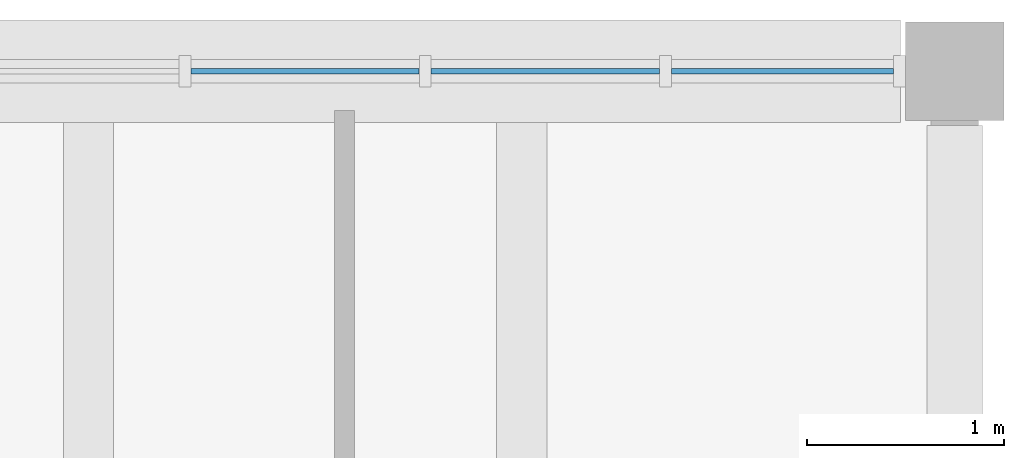
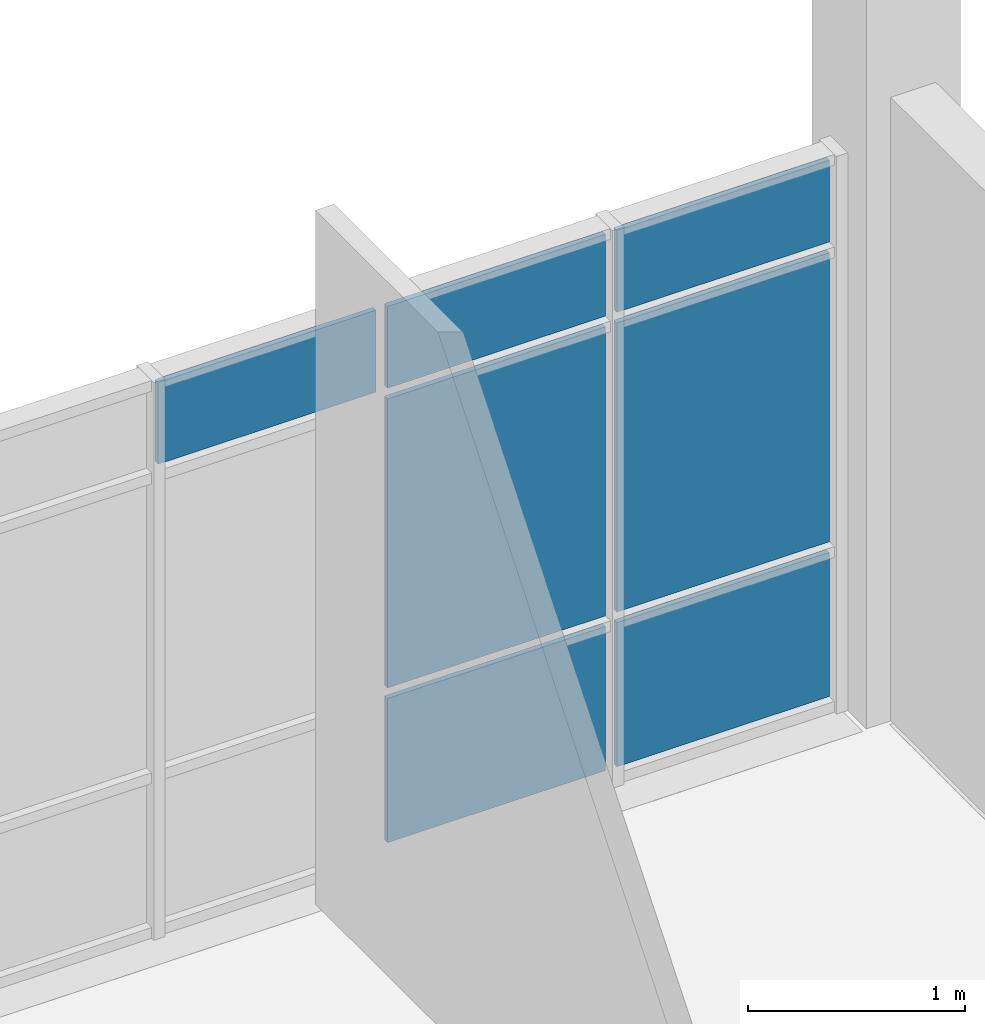
# One storey, part 6 of 10: 7 plates, 1 element without a shape of its own.
"""IFC4 building model written with IfcOpenShell, lengths in metres."""

from ifc_helpers import new_model, si_unit, direction, frame, origin, origin_2d, place, context, subcontext, project, spatial, rectangle, extrude, material, layer, layer_set, type_object, element, aggregate, save


model = new_model("IFC4")

# Units and contexts
model_context = context("Model", 3, precision=1e-05, world=origin(), true_north=direction((0.0, 1.0)))
body_context = subcontext(model_context, "Body", "Model", "MODEL_VIEW")
ifc_project = project(units=[si_unit("LENGTHUNIT", "METRE"), si_unit("AREAUNIT", "SQUARE_METRE"), si_unit("VOLUMEUNIT", "CUBIC_METRE"), si_unit("PLANEANGLEUNIT", "RADIAN"), si_unit("MASSUNIT", "GRAM", prefix="KILO")], contexts=[model_context])

# Site, building, storey
site_placement = place(None, origin())
site = spatial("IfcSite", under=ifc_project, at=site_placement, CompositionType="ELEMENT")
building_placement = place(site_placement, origin())
building = spatial("IfcBuilding", under=site, at=building_placement, Name="Ciguamira Faculty of Natural Sciences", CompositionType="ELEMENT")
storey_placement = place(building_placement, frame((0.0, 0.0, 42.0)))
storey = spatial("IfcBuildingStorey", under=building, at=storey_placement, Name="L10", CompositionType="ELEMENT", Elevation=42.0)

# Curtain wall, plates
ifc_material_1 = material(Name="Anodized aluminium curtain wall", Category="aluminium")
curtain_wall_type = type_object("IfcCurtainWallType", Name="CurtainWall_CW-01", PredefinedType="USERDEFINED", material=ifc_material_1)
curtain_wall_placement = place(storey_placement, origin())
curtain_wall = element("IfcCurtainWall", 1, at=curtain_wall_placement, inside=storey, type_object=curtain_wall_type, Name="L10 unitised curtain wall 0169", ObjectType="UNITISED CURTAIN WALL", PredefinedType="USERDEFINED")
ifc_material_2 = material(Name="Low-E laminated solar glass", Category="glass")
ifc_layer = layer(ifc_material_2, 0.028076171875, Name="Low-E laminated solar glass")
ifc_layer_set = layer_set([ifc_layer], Name="Low-E laminated solar glass")
plate_type = type_object("IfcPlateType", Name="CWPanel_CWP-01", PredefinedType="CURTAIN_PANEL", material=ifc_layer_set)
plate_1_placement = place(storey_placement, frame((100.199951171875, 115.0, 2.614990234375), z_axis=(0.0, 0.0, 1.0), x_axis=(1.0, 0.0, 0.0)))
plate_1 = element("IfcPlate", 2, at=plate_1_placement, type_object=plate_type, Name="CW-01 panel 3.3", PredefinedType="CURTAIN_PANEL", context=body_context, shape_type="SweptSolid", body=[
    extrude(rectangle(XDim=1.159912109375, YDim=0.028076171875, at=origin_2d()), origin(), (0.0, 0.0, 1.0), 0.4599609375),
])
plate_2_placement = place(storey_placement, frame((101.419921875, 115.0, 0.06005859375), z_axis=(0.0, 0.0, 1.0), x_axis=(1.0, 0.0, 0.0)))
plate_2 = element("IfcPlate", 3, at=plate_2_placement, type_object=plate_type, Name="CW-01 panel 4.1", PredefinedType="CURTAIN_PANEL", context=body_context, shape_type="SweptSolid", body=[
    extrude(rectangle(XDim=1.159912109375, YDim=0.028076171875, at=origin_2d()), origin(), (0.0, 0.0, 1.0), 0.81005859375),
])
plate_3_placement = place(storey_placement, frame((101.419921875, 115.0, 0.929931640625), z_axis=(0.0, 0.0, 1.0), x_axis=(1.0, 0.0, 0.0)))
plate_3 = element("IfcPlate", 4, at=plate_3_placement, type_object=plate_type, Name="CW-01 panel 4.2", PredefinedType="CURTAIN_PANEL", context=body_context, shape_type="SweptSolid", body=[
    extrude(rectangle(XDim=1.159912109375, YDim=0.028076171875, at=origin_2d()), origin(), (0.0, 0.0, 1.0), 1.625),
])
plate_4_placement = place(storey_placement, frame((101.419921875, 115.0, 2.614990234375), z_axis=(0.0, 0.0, 1.0), x_axis=(1.0, 0.0, 0.0)))
plate_4 = element("IfcPlate", 5, at=plate_4_placement, type_object=plate_type, Name="CW-01 panel 4.3", PredefinedType="CURTAIN_PANEL", context=body_context, shape_type="SweptSolid", body=[
    extrude(rectangle(XDim=1.159912109375, YDim=0.028076171875, at=origin_2d()), origin(), (0.0, 0.0, 1.0), 0.4599609375),
])
plate_5_placement = place(storey_placement, frame((102.625, 115.0, 0.06005859375), z_axis=(0.0, 0.0, 1.0), x_axis=(1.0, 0.0, 0.0)))
plate_5 = element("IfcPlate", 6, at=plate_5_placement, type_object=plate_type, Name="CW-01 panel 5.1", PredefinedType="CURTAIN_PANEL", context=body_context, shape_type="SweptSolid", body=[
    extrude(rectangle(XDim=1.1298828125, YDim=0.028076171875, at=origin_2d()), origin(), (0.0, 0.0, 1.0), 0.81005859375),
])
plate_6_placement = place(storey_placement, frame((102.625, 115.0, 0.929931640625), z_axis=(0.0, 0.0, 1.0), x_axis=(1.0, 0.0, 0.0)))
plate_6 = element("IfcPlate", 7, at=plate_6_placement, type_object=plate_type, Name="CW-01 panel 5.2", PredefinedType="CURTAIN_PANEL", context=body_context, shape_type="SweptSolid", body=[
    extrude(rectangle(XDim=1.1298828125, YDim=0.028076171875, at=origin_2d()), origin(), (0.0, 0.0, 1.0), 1.625),
])
plate_7_placement = place(storey_placement, frame((102.625, 115.0, 2.614990234375), z_axis=(0.0, 0.0, 1.0), x_axis=(1.0, 0.0, 0.0)))
plate_7 = element("IfcPlate", 8, at=plate_7_placement, type_object=plate_type, Name="CW-01 panel 5.3", PredefinedType="CURTAIN_PANEL", context=body_context, shape_type="SweptSolid", body=[
    extrude(rectangle(XDim=1.1298828125, YDim=0.028076171875, at=origin_2d()), origin(), (0.0, 0.0, 1.0), 0.4599609375),
])
aggregate(curtain_wall, [plate_1, plate_2, plate_3, plate_4, plate_5, plate_6, plate_7])

save(model, "model.ifc")
